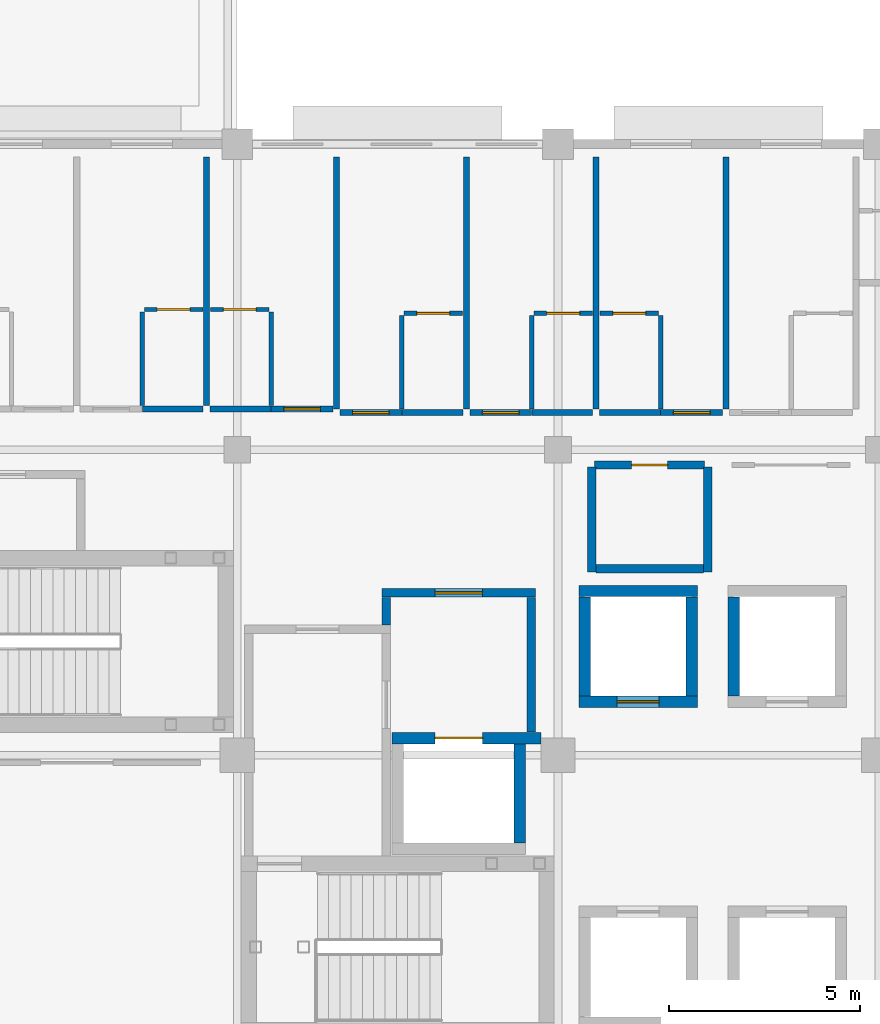
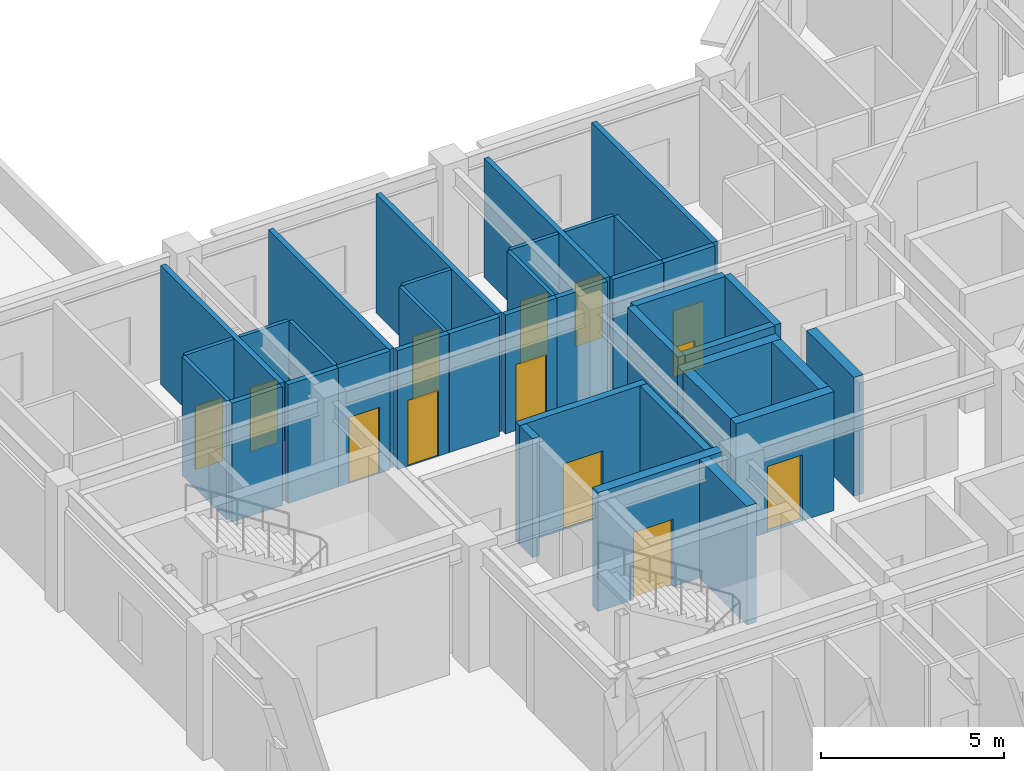
# One storey, part 10 of 22: 38 walls, 13 doors, 13 openings.
"""IFC4 building model written with IfcOpenShell, lengths in metres."""

from ifc_helpers import new_model, si_unit, direction, frame, frame_2d, origin, place, context, subcontext, project, spatial, rectangle, extrude, material, layer, layer_set, type_object, element, fill, save


model = new_model("IFC4")

# Units and contexts
model_context = context("Model", 3, precision=1e-05, world=origin(), true_north=direction((0.0, 1.0)))
body_context = subcontext(model_context, "Body", "Model", "MODEL_VIEW")
ifc_project = project(units=[si_unit("LENGTHUNIT", "METRE"), si_unit("AREAUNIT", "SQUARE_METRE"), si_unit("VOLUMEUNIT", "CUBIC_METRE"), si_unit("PLANEANGLEUNIT", "RADIAN"), si_unit("MASSUNIT", "GRAM", prefix="KILO")], contexts=[model_context])

# Site, building, storey
site_placement = place(None, origin())
site = spatial("IfcSite", under=ifc_project, at=site_placement, CompositionType="ELEMENT")
building_placement = place(site_placement, origin())
building = spatial("IfcBuilding", under=site, at=building_placement, Name="Naruveol Harbour Congress Hotel", CompositionType="ELEMENT")
storey_placement = place(building_placement, frame((0.0, 0.0, 21.0)))
storey = spatial("IfcBuildingStorey", under=building, at=storey_placement, Name="L04", CompositionType="ELEMENT", Elevation=21.0)

# Wall
ifc_material_1 = material(Name="Moisture-Resistant Gypsum Partition", Category="gypsum")
ifc_layer_1 = layer(ifc_material_1, 0.114990234375)
ifc_layer_set_1 = layer_set([ifc_layer_1], Name="Moisture-Resistant Gypsum Partition")
wall_type_1 = type_object("IfcWallType", Name="BATHROOM MOISTURE PARTITION WALL 115", PredefinedType="PARTITIONING", material=ifc_layer_set_1)
wall_1_placement = place(storey_placement, frame((123.510009765625, 25.159912109375, 0.0), z_axis=(0.0, 0.0, 1.0), x_axis=(0.0, 1.0, 0.0)))
element("IfcWall", 1, at=wall_1_placement, inside=storey, type_object=wall_type_1, Name="Bathroom west wall 0597 PW-115", PredefinedType="PARTITIONING", context=body_context, shape_type="SweptSolid", body=[
    extrude(rectangle(XDim=2.4501953125, YDim=0.114990234375, at=frame_2d((1.22509765625, 0.0))), origin(), (0.0, 0.0, 1.0), 3.965087890625),
])

# Wall, opening, door
wall_2_placement = place(storey_placement, frame((123.570068359375, 27.669921875, 0.0), z_axis=(0.0, 0.0, 1.0), x_axis=(1.0, 0.0, 0.0)))
wall_2 = element("IfcWall", 2, at=wall_2_placement, inside=storey, type_object=wall_type_1, Name="Bathroom north wall 0597 PW-115", PredefinedType="PARTITIONING", context=body_context, shape_type="SweptSolid", body=[
    extrude(rectangle(XDim=1.530029296875, YDim=0.114990234375, at=frame_2d((0.76513671875, 0.0))), origin(), (0.0, 0.0, 1.0), 3.965087890625),
])
opening_1_placement = place(wall_2_placement, frame((0.3349609375, 0.0, 0.0)))
opening_1 = element("IfcOpeningElement", 3, at=opening_1_placement, cuts=wall_2, Name="Opening BD-RM0597", PredefinedType="OPENING", context=body_context, shape_type="SweptSolid", body=[
    extrude(rectangle(XDim=0.860107421875, YDim=2.1201171875, at=frame_2d((0.43017578125, 1.06005859375))), frame((0.0, 0.0673828125, 0.0), z_axis=(0.0, -1.0, 0.0), x_axis=(1.0, 0.0, 0.0)), (0.0, 0.0, 1.0), 0.135009765625),
])
ifc_material_2 = material(Name="Timber & Steel Acoustic Leaf", Category="steel")
door_type_1 = type_object("IfcDoorType", Name="GUEST BATHROOM DOOR 860X2120", OperationType="NOTDEFINED", PredefinedType="DOOR", material=ifc_material_2)
door_1_placement = place(opening_1_placement, origin())
door_1 = element("IfcDoor", 4, at=door_1_placement, inside=storey, type_object=door_type_1, Name="Bathroom Door 0597", OperationType="SINGLE_SWING_RIGHT", OverallHeight=2.1201171875, OverallWidth=0.860107421875, PredefinedType="DOOR", context=body_context, shape_type="SweptSolid", body=[
    extrude(rectangle(XDim=0.860107421875, YDim=2.1201171875, at=frame_2d((0.43017578125, 1.06005859375))), frame((0.0, 0.02490234375, 0.0), z_axis=(0.0, -1.0, 0.0), x_axis=(1.0, 0.0, 0.0)), (0.0, 0.0, 1.0), 0.050048828125),
])
fill(opening_1, door_1)

# Wall
wall_3_placement = place(storey_placement, frame((126.889892578125, 25.159912109375, 0.0), z_axis=(0.0, 0.0, 1.0), x_axis=(0.0, 1.0, 0.0)))
element("IfcWall", 5, at=wall_3_placement, inside=storey, type_object=wall_type_1, Name="Bathroom east wall 0598 PW-115", PredefinedType="PARTITIONING", context=body_context, shape_type="SweptSolid", body=[
    extrude(rectangle(XDim=2.4501953125, YDim=0.114990234375, at=frame_2d((1.22509765625, 0.0))), origin(), (0.0, 0.0, 1.0), 3.965087890625),
])

# Wall, opening, door
wall_4_placement = place(storey_placement, frame((125.300048828125, 27.669921875, 0.0), z_axis=(0.0, 0.0, 1.0), x_axis=(1.0, 0.0, 0.0)))
wall_4 = element("IfcWall", 6, at=wall_4_placement, inside=storey, type_object=wall_type_1, Name="Bathroom north wall 0598 PW-115", PredefinedType="PARTITIONING", context=body_context, shape_type="SweptSolid", body=[
    extrude(rectangle(XDim=1.530029296875, YDim=0.114990234375, at=frame_2d((0.76513671875, 0.0))), origin(), (0.0, 0.0, 1.0), 3.965087890625),
])
opening_2_placement = place(wall_4_placement, frame((0.3349609375, 0.0, 0.0)))
opening_2 = element("IfcOpeningElement", 7, at=opening_2_placement, cuts=wall_4, Name="Opening BD-RM0598", PredefinedType="OPENING", context=body_context, shape_type="SweptSolid", body=[
    extrude(rectangle(XDim=0.860107421875, YDim=2.1201171875, at=frame_2d((0.43017578125, 1.06005859375))), frame((0.0, 0.0673828125, 0.0), z_axis=(0.0, -1.0, 0.0), x_axis=(1.0, 0.0, 0.0)), (0.0, 0.0, 1.0), 0.135009765625),
])
door_2_placement = place(opening_2_placement, origin())
door_2 = element("IfcDoor", 8, at=door_2_placement, inside=storey, type_object=door_type_1, Name="Bathroom Door 0598", OperationType="SINGLE_SWING_RIGHT", OverallHeight=2.1201171875, OverallWidth=0.860107421875, PredefinedType="DOOR", context=body_context, shape_type="SweptSolid", body=[
    extrude(rectangle(XDim=0.860107421875, YDim=2.1201171875, at=frame_2d((0.43017578125, 1.06005859375))), frame((0.0, 0.02490234375, 0.0), z_axis=(0.0, -1.0, 0.0), x_axis=(1.0, 0.0, 0.0)), (0.0, 0.0, 1.0), 0.050048828125),
])
fill(opening_2, door_2)

# Wall
wall_5_placement = place(storey_placement, frame((130.31005859375, 25.06005859375, 0.0), z_axis=(0.0, 0.0, 1.0), x_axis=(0.0, 1.0, 0.0)))
element("IfcWall", 9, at=wall_5_placement, inside=storey, type_object=wall_type_1, Name="Bathroom west wall 0599 PW-115", PredefinedType="PARTITIONING", context=body_context, shape_type="SweptSolid", body=[
    extrude(rectangle(XDim=2.449951171875, YDim=0.114990234375, at=frame_2d((1.22509765625, 0.0))), origin(), (0.0, 0.0, 1.0), 3.965087890625),
])

# Wall, opening, door
wall_6_placement = place(storey_placement, frame((130.3701171875, 27.570068359375, 0.0), z_axis=(0.0, 0.0, 1.0), x_axis=(1.0, 0.0, 0.0)))
wall_6 = element("IfcWall", 10, at=wall_6_placement, inside=storey, type_object=wall_type_1, Name="Bathroom north wall 0599 PW-115", PredefinedType="PARTITIONING", context=body_context, shape_type="SweptSolid", body=[
    extrude(rectangle(XDim=1.52978515625, YDim=0.114990234375, at=frame_2d((0.764892578125, 0.0))), origin(), (0.0, 0.0, 1.0), 3.965087890625),
])
opening_3_placement = place(wall_6_placement, frame((0.3349609375, 0.0, 0.0)))
opening_3 = element("IfcOpeningElement", 11, at=opening_3_placement, cuts=wall_6, Name="Opening BD-RM0599", PredefinedType="OPENING", context=body_context, shape_type="SweptSolid", body=[
    extrude(rectangle(XDim=0.860107421875, YDim=2.1201171875, at=frame_2d((0.43017578125, 1.06005859375))), frame((0.0, 0.0673828125, 0.0), z_axis=(0.0, -1.0, 0.0), x_axis=(1.0, 0.0, 0.0)), (0.0, 0.0, 1.0), 0.135009765625),
])
door_3_placement = place(opening_3_placement, origin())
door_3 = element("IfcDoor", 12, at=door_3_placement, inside=storey, type_object=door_type_1, Name="Bathroom Door 0599", OperationType="SINGLE_SWING_RIGHT", OverallHeight=2.1201171875, OverallWidth=0.860107421875, PredefinedType="DOOR", context=body_context, shape_type="SweptSolid", body=[
    extrude(rectangle(XDim=0.860107421875, YDim=2.1201171875, at=frame_2d((0.43017578125, 1.06005859375))), frame((0.0, 0.02490234375, 0.0), z_axis=(0.0, -1.0, 0.0), x_axis=(1.0, 0.0, 0.0)), (0.0, 0.0, 1.0), 0.050048828125),
])
fill(opening_3, door_3)

# Wall
wall_7_placement = place(storey_placement, frame((133.7099609375, 25.06005859375, 0.0), z_axis=(0.0, 0.0, 1.0), x_axis=(0.0, 1.0, 0.0)))
element("IfcWall", 13, at=wall_7_placement, inside=storey, type_object=wall_type_1, Name="Bathroom west wall 0500 PW-115", PredefinedType="PARTITIONING", context=body_context, shape_type="SweptSolid", body=[
    extrude(rectangle(XDim=2.449951171875, YDim=0.114990234375, at=frame_2d((1.22509765625, 0.0))), origin(), (0.0, 0.0, 1.0), 3.965087890625),
])

# Wall, opening, door
wall_8_placement = place(storey_placement, frame((133.77001953125, 27.570068359375, 0.0), z_axis=(0.0, 0.0, 1.0), x_axis=(1.0, 0.0, 0.0)))
wall_8 = element("IfcWall", 14, at=wall_8_placement, inside=storey, type_object=wall_type_1, Name="Bathroom north wall 0500 PW-115", PredefinedType="PARTITIONING", context=body_context, shape_type="SweptSolid", body=[
    extrude(rectangle(XDim=1.530029296875, YDim=0.114990234375, at=frame_2d((0.76513671875, 0.0))), origin(), (0.0, 0.0, 1.0), 3.965087890625),
])
opening_4_placement = place(wall_8_placement, frame((0.3349609375, 0.0, 0.0)))
opening_4 = element("IfcOpeningElement", 15, at=opening_4_placement, cuts=wall_8, Name="Opening BD-RM0500", PredefinedType="OPENING", context=body_context, shape_type="SweptSolid", body=[
    extrude(rectangle(XDim=0.860107421875, YDim=2.1201171875, at=frame_2d((0.43017578125, 1.06005859375))), frame((0.0, 0.0673828125, 0.0), z_axis=(0.0, -1.0, 0.0), x_axis=(1.0, 0.0, 0.0)), (0.0, 0.0, 1.0), 0.135009765625),
])
door_4_placement = place(opening_4_placement, origin())
door_4 = element("IfcDoor", 16, at=door_4_placement, inside=storey, type_object=door_type_1, Name="Bathroom Door 0500", OperationType="SINGLE_SWING_RIGHT", OverallHeight=2.1201171875, OverallWidth=0.860107421875, PredefinedType="DOOR", context=body_context, shape_type="SweptSolid", body=[
    extrude(rectangle(XDim=0.860107421875, YDim=2.1201171875, at=frame_2d((0.43017578125, 1.06005859375))), frame((0.0, 0.02490234375, 0.0), z_axis=(0.0, -1.0, 0.0), x_axis=(1.0, 0.0, 0.0)), (0.0, 0.0, 1.0), 0.050048828125),
])
fill(opening_4, door_4)

# Wall
wall_9_placement = place(storey_placement, frame((137.090087890625, 25.06005859375, 0.0), z_axis=(0.0, 0.0, 1.0), x_axis=(0.0, 1.0, 0.0)))
element("IfcWall", 17, at=wall_9_placement, inside=storey, type_object=wall_type_1, Name="Bathroom east wall 0501 PW-115", PredefinedType="PARTITIONING", context=body_context, shape_type="SweptSolid", body=[
    extrude(rectangle(XDim=2.449951171875, YDim=0.114990234375, at=frame_2d((1.22509765625, 0.0))), origin(), (0.0, 0.0, 1.0), 3.965087890625),
])

# Wall, opening, door
wall_10_placement = place(storey_placement, frame((135.5, 27.570068359375, 0.0), z_axis=(0.0, 0.0, 1.0), x_axis=(1.0, 0.0, 0.0)))
wall_10 = element("IfcWall", 18, at=wall_10_placement, inside=storey, type_object=wall_type_1, Name="Bathroom north wall 0501 PW-115", PredefinedType="PARTITIONING", context=body_context, shape_type="SweptSolid", body=[
    extrude(rectangle(XDim=1.530029296875, YDim=0.114990234375, at=frame_2d((0.76513671875, 0.0))), origin(), (0.0, 0.0, 1.0), 3.965087890625),
])
opening_5_placement = place(wall_10_placement, frame((0.3349609375, 0.0, 0.0)))
opening_5 = element("IfcOpeningElement", 19, at=opening_5_placement, cuts=wall_10, Name="Opening BD-RM0501", PredefinedType="OPENING", context=body_context, shape_type="SweptSolid", body=[
    extrude(rectangle(XDim=0.860107421875, YDim=2.1201171875, at=frame_2d((0.43017578125, 1.06005859375))), frame((0.0, 0.0673828125, 0.0), z_axis=(0.0, -1.0, 0.0), x_axis=(1.0, 0.0, 0.0)), (0.0, 0.0, 1.0), 0.135009765625),
])
door_5_placement = place(opening_5_placement, origin())
door_5 = element("IfcDoor", 20, at=door_5_placement, inside=storey, type_object=door_type_1, Name="Bathroom Door 0501", OperationType="SINGLE_SWING_RIGHT", OverallHeight=2.1201171875, OverallWidth=0.860107421875, PredefinedType="DOOR", context=body_context, shape_type="SweptSolid", body=[
    extrude(rectangle(XDim=0.860107421875, YDim=2.1201171875, at=frame_2d((0.43017578125, 1.06005859375))), frame((0.0, 0.02490234375, 0.0), z_axis=(0.0, -1.0, 0.0), x_axis=(1.0, 0.0, 0.0)), (0.0, 0.0, 1.0), 0.050048828125),
])
fill(opening_5, door_5)

# Walls
ifc_material_3 = material(Name="Concrete C40/50", Category="concrete")
ifc_layer_2 = layer(ifc_material_3, 0.219970703125)
ifc_layer_set_2 = layer_set([ifc_layer_2], Name="Concrete C40/50")
wall_type_2 = type_object("IfcWallType", Name="FIRE COMPARTMENT AND LOBBY WALL 220 EI120", PredefinedType="PARTITIONING", material=ifc_layer_set_2)
wall_11_placement = place(storey_placement, frame((129.89990234375, 19.4150390625, 0.0), z_axis=(0.0, 0.0, 1.0), x_axis=(0.0, 1.0, 0.0)))
element("IfcWall", 21, at=wall_11_placement, inside=storey, type_object=wall_type_2, Name="Firefighting lift lobby ST1 upper west wall FW-220", PredefinedType="PARTITIONING", context=body_context, shape_type="SweptSolid", body=[
    extrude(rectangle(XDim=0.719970703125, YDim=0.219970703125, at=frame_2d((0.35986328125, 0.0))), origin(), (0.0, 0.0, 1.0), 3.965087890625),
])
wall_12_placement = place(storey_placement, frame((133.699951171875, 16.60498046875, 0.0), z_axis=(0.0, 0.0, 1.0), x_axis=(0.0, 1.0, 0.0)))
element("IfcWall", 22, at=wall_12_placement, inside=storey, type_object=wall_type_2, Name="Firefighting lift lobby ST1 east wall FW-220", PredefinedType="PARTITIONING", context=body_context, shape_type="SweptSolid", body=[
    extrude(rectangle(XDim=3.530029296875, YDim=0.219970703125, at=frame_2d((1.76513671875, 0.0))), origin(), (0.0, 0.0, 1.0), 3.965087890625),
])

# Wall, opening, door
wall_13_placement = place(storey_placement, frame((129.7900390625, 20.25, 0.0), z_axis=(0.0, 0.0, 1.0), x_axis=(1.0, 0.0, 0.0)))
wall_13 = element("IfcWall", 23, at=wall_13_placement, inside=storey, type_object=wall_type_2, Name="Firefighting lift lobby ST1 north wall FW-220", PredefinedType="PARTITIONING", context=body_context, shape_type="SweptSolid", body=[
    extrude(rectangle(XDim=4.02001953125, YDim=0.219970703125, at=frame_2d((2.010009765625, 0.0))), origin(), (0.0, 0.0, 1.0), 3.965087890625),
])
opening_6_placement = place(wall_13_placement, frame((1.389892578125, 0.0, 0.0)))
opening_6 = element("IfcOpeningElement", 24, at=opening_6_placement, cuts=wall_13, Name="Opening FD-FFC-ST1-L04", PredefinedType="OPENING", context=body_context, shape_type="SweptSolid", body=[
    extrude(rectangle(XDim=1.239990234375, YDim=2.199951171875, at=frame_2d((0.6201171875, 1.10009765625))), frame((0.0, 0.119873046875, 0.0), z_axis=(0.0, -1.0, 0.0), x_axis=(1.0, 0.0, 0.0)), (0.0, 0.0, 1.0), 0.239990234375),
])
ifc_material_4 = material(Name="Timber & Steel Acoustic Leaf", Category="steel")
door_type_2 = type_object("IfcDoorType", Name="FIREFIGHTING LOBBY FIRE DOOR 1240X2200", OperationType="NOTDEFINED", PredefinedType="DOOR", material=ifc_material_4)
door_6_placement = place(opening_6_placement, origin())
door_6 = element("IfcDoor", 25, at=door_6_placement, inside=storey, type_object=door_type_2, Name="Firefighting Lobby Corridor Door ST1 L04", OperationType="SINGLE_SWING_LEFT", OverallHeight=2.199951171875, OverallWidth=1.239990234375, PredefinedType="DOOR", context=body_context, shape_type="SweptSolid", body=[
    extrude(rectangle(XDim=1.239990234375, YDim=2.199951171875, at=frame_2d((0.6201171875, 1.10009765625))), frame((0.0, 0.02490234375, 0.0), z_axis=(0.0, -1.0, 0.0), x_axis=(1.0, 0.0, 0.0)), (0.0, 0.0, 1.0), 0.050048828125),
])
fill(opening_6, door_6)

wall_14_placement = place(storey_placement, frame((135.360107421875, 23.60009765625, 0.0), z_axis=(0.0, 0.0, 1.0), x_axis=(1.0, 0.0, 0.0)))
wall_14 = element("IfcWall", 26, at=wall_14_placement, inside=storey, type_object=wall_type_2, Name="Housekeeping Pantry north entry wall FW-220", PredefinedType="PARTITIONING", context=body_context, shape_type="SweptSolid", body=[
    extrude(rectangle(XDim=2.8798828125, YDim=0.219970703125, at=frame_2d((1.43994140625, 0.0))), origin(), (0.0, 0.0, 1.0), 3.965087890625),
])
opening_7_placement = place(wall_14_placement, frame((0.969970703125, 0.0, 0.0)))
opening_7 = element("IfcOpeningElement", 27, at=opening_7_placement, cuts=wall_14, Name="Opening FD-ST-98", PredefinedType="OPENING", context=body_context, shape_type="SweptSolid", body=[
    extrude(rectangle(XDim=0.93994140625, YDim=2.14990234375, at=frame_2d((0.469970703125, 1.074951171875))), frame((0.0, 0.119873046875, 0.0), z_axis=(0.0, -1.0, 0.0), x_axis=(1.0, 0.0, 0.0)), (0.0, 0.0, 1.0), 0.239990234375),
])
ifc_material_5 = material(Name="Timber & Steel Acoustic Leaf", Category="steel")
door_type_3 = type_object("IfcDoorType", Name="HOUSEKEEPING AND STORE FIRE DOOR 940X2150", OperationType="NOTDEFINED", PredefinedType="DOOR", material=ifc_material_5)
door_7_placement = place(opening_7_placement, origin())
door_7 = element("IfcDoor", 28, at=door_7_placement, inside=storey, type_object=door_type_3, Name="Housekeeping Pantry Fire Door", OperationType="SINGLE_SWING_RIGHT", OverallHeight=2.14990234375, OverallWidth=0.93994140625, PredefinedType="DOOR", context=body_context, shape_type="SweptSolid", body=[
    extrude(rectangle(XDim=0.93994140625, YDim=2.14990234375, at=frame_2d((0.469970703125, 1.074951171875))), frame((0.0, 0.02490234375, 0.0), z_axis=(0.0, -1.0, 0.0), x_axis=(1.0, 0.0, 0.0)), (0.0, 0.0, 1.0), 0.050048828125),
])
fill(opening_7, door_7)

# Walls
for number, where, z_axis, x_axis, name in (
    (29, (135.280029296875, 20.800048828125, 0.0), (0.0, 0.0, 1.0), (0.0, 1.0, 0.0), "Housekeeping Pantry west enclosure partition FW-220"),
    (30, (138.320068359375, 20.800048828125, 0.0), (0.0, 0.0, 1.0), (0.0, 1.0, 0.0), "Housekeeping Pantry east enclosure partition FW-220"),
):
    element("IfcWall", number, at=place(storey_placement, frame(where, z_axis=z_axis, x_axis=x_axis)), inside=storey, type_object=wall_type_2, Name=name, PredefinedType="PARTITIONING", context=body_context, shape_type="SweptSolid", body=[
        extrude(rectangle(XDim=2.748046875, YDim=0.219970703125, at=frame_2d((1.3740234375, 0.0))), origin(), (0.0, 0.0, 1.0), 3.965087890625),
    ])
wall_15_placement = place(storey_placement, frame((135.389892578125, 20.8798828125, 0.0), z_axis=(0.0, 0.0, 1.0), x_axis=(1.0, 0.0, 0.0)))
element("IfcWall", 31, at=wall_15_placement, inside=storey, type_object=wall_type_2, Name="Housekeeping Pantry south enclosure partition FW-220", PredefinedType="PARTITIONING", context=body_context, shape_type="SweptSolid", body=[
    extrude(rectangle(XDim=2.820068359375, YDim=0.219970703125, at=frame_2d((1.41015625, 0.0))), origin(), (0.0, 0.0, 1.0), 3.965087890625),
])
ifc_material_6 = material(Name="Autoclaved Aerated Concrete Block", Category="concrete")
ifc_layer_3 = layer(ifc_material_6, 0.159912109375)
ifc_layer_set_3 = layer_set([ifc_layer_3], Name="Autoclaved Aerated Concrete Block")
wall_type_3 = type_object("IfcWallType", Name="HOTEL PARTY AND CORRIDOR WALL 160 EI60", PredefinedType="PARTITIONING", material=ifc_layer_set_3)
wall_16_placement = place(storey_placement, frame((123.52001953125, 25.070068359375, 0.0), z_axis=(0.0, 0.0, 1.0), x_axis=(1.0, 0.0, 0.0)))
element("IfcWall", 32, at=wall_16_placement, inside=storey, type_object=wall_type_3, Name="Corridor wall 0597B PW-160", PredefinedType="PARTITIONING", context=body_context, shape_type="SweptSolid", body=[
    extrude(rectangle(XDim=1.590087890625, YDim=0.159912109375, at=frame_2d((0.794921875, 0.0))), origin(), (0.0, 0.0, 1.0), 3.965087890625),
])
wall_17_placement = place(storey_placement, frame((125.2900390625, 25.070068359375, 0.0), z_axis=(0.0, 0.0, 1.0), x_axis=(1.0, 0.0, 0.0)))
element("IfcWall", 33, at=wall_17_placement, inside=storey, type_object=wall_type_3, Name="Corridor wall 0598B PW-160", PredefinedType="PARTITIONING", context=body_context, shape_type="SweptSolid", body=[
    extrude(rectangle(XDim=1.58984375, YDim=0.159912109375, at=frame_2d((0.794921875, 0.0))), origin(), (0.0, 0.0, 1.0), 3.965087890625),
])

# Wall, opening, door
wall_18_placement = place(storey_placement, frame((126.889892578125, 25.070068359375, 0.0), z_axis=(0.0, 0.0, 1.0), x_axis=(1.0, 0.0, 0.0)))
wall_18 = element("IfcWall", 34, at=wall_18_placement, inside=storey, type_object=wall_type_3, Name="Corridor entry wall 0598 PW-160", PredefinedType="PARTITIONING", context=body_context, shape_type="SweptSolid", body=[
    extrude(rectangle(XDim=1.6201171875, YDim=0.159912109375, at=frame_2d((0.81005859375, 0.0))), origin(), (0.0, 0.0, 1.0), 3.965087890625),
])
opening_8_placement = place(wall_18_placement, frame((0.330078125, 0.0, 0.0)))
opening_8 = element("IfcOpeningElement", 35, at=opening_8_placement, cuts=wall_18, Name="Opening FD-RM0598", PredefinedType="OPENING", context=body_context, shape_type="SweptSolid", body=[
    extrude(rectangle(XDim=0.9599609375, YDim=2.199951171875, at=frame_2d((0.47998046875, 1.10009765625))), frame((0.0, 0.08984375, 0.0), z_axis=(0.0, -1.0, 0.0), x_axis=(1.0, 0.0, 0.0)), (0.0, 0.0, 1.0), 0.179931640625),
])
ifc_material_7 = material(Name="Timber & Steel Acoustic Leaf", Category="steel")
door_type_4 = type_object("IfcDoorType", Name="GUEST ROOM ENTRANCE FIRE DOOR 960X2200", OperationType="NOTDEFINED", PredefinedType="DOOR", material=ifc_material_7)
door_8_placement = place(opening_8_placement, origin())
door_8 = element("IfcDoor", 36, at=door_8_placement, inside=storey, type_object=door_type_4, Name="Hotel Room Door 0598", OperationType="SINGLE_SWING_LEFT", OverallHeight=2.199951171875, OverallWidth=0.9599609375, PredefinedType="DOOR", context=body_context, shape_type="SweptSolid", body=[
    extrude(rectangle(XDim=0.9599609375, YDim=2.199951171875, at=frame_2d((0.47998046875, 1.10009765625))), frame((0.0, 0.02490234375, 0.0), z_axis=(0.0, -1.0, 0.0), x_axis=(1.0, 0.0, 0.0)), (0.0, 0.0, 1.0), 0.050048828125),
])
fill(opening_8, door_8)

# Wall
wall_19_placement = place(storey_placement, frame((125.199951171875, 25.159912109375, 0.0), z_axis=(0.0, 0.0, 1.0), x_axis=(0.0, 1.0, 0.0)))
element("IfcWall", 37, at=wall_19_placement, inside=storey, type_object=wall_type_3, Name="Hotel party wall 0598 PW-160", PredefinedType="PARTITIONING", context=body_context, shape_type="SweptSolid", body=[
    extrude(rectangle(XDim=6.5, YDim=0.159912109375, at=frame_2d((3.25, 0.0))), origin(), (0.0, 0.0, 1.0), 3.965087890625),
])

# Wall, opening, door
wall_20_placement = place(storey_placement, frame((128.68994140625, 24.969970703125, 0.0), z_axis=(0.0, 0.0, 1.0), x_axis=(1.0, 0.0, 0.0)))
wall_20 = element("IfcWall", 38, at=wall_20_placement, inside=storey, type_object=wall_type_3, Name="Corridor entry wall 0599 PW-160", PredefinedType="PARTITIONING", context=body_context, shape_type="SweptSolid", body=[
    extrude(rectangle(XDim=1.6201171875, YDim=0.159912109375, at=frame_2d((0.81005859375, 0.0))), origin(), (0.0, 0.0, 1.0), 3.965087890625),
])
opening_9_placement = place(wall_20_placement, frame((0.330078125, 0.0, 0.0)))
opening_9 = element("IfcOpeningElement", 39, at=opening_9_placement, cuts=wall_20, Name="Opening FD-RM0599", PredefinedType="OPENING", context=body_context, shape_type="SweptSolid", body=[
    extrude(rectangle(XDim=0.9599609375, YDim=2.199951171875, at=frame_2d((0.47998046875, 1.10009765625))), frame((0.0, 0.08984375, 0.0), z_axis=(0.0, -1.0, 0.0), x_axis=(1.0, 0.0, 0.0)), (0.0, 0.0, 1.0), 0.179931640625),
])
door_9_placement = place(opening_9_placement, origin())
door_9 = element("IfcDoor", 40, at=door_9_placement, inside=storey, type_object=door_type_4, Name="Hotel Room Door 0599", OperationType="SINGLE_SWING_LEFT", OverallHeight=2.199951171875, OverallWidth=0.9599609375, PredefinedType="DOOR", context=body_context, shape_type="SweptSolid", body=[
    extrude(rectangle(XDim=0.9599609375, YDim=2.199951171875, at=frame_2d((0.47998046875, 1.10009765625))), frame((0.0, 0.02490234375, 0.0), z_axis=(0.0, -1.0, 0.0), x_axis=(1.0, 0.0, 0.0)), (0.0, 0.0, 1.0), 0.050048828125),
])
fill(opening_9, door_9)

# Walls
wall_21_placement = place(storey_placement, frame((130.320068359375, 24.969970703125, 0.0), z_axis=(0.0, 0.0, 1.0), x_axis=(1.0, 0.0, 0.0)))
element("IfcWall", 41, at=wall_21_placement, inside=storey, type_object=wall_type_3, Name="Corridor wall 0599B PW-160", PredefinedType="PARTITIONING", context=body_context, shape_type="SweptSolid", body=[
    extrude(rectangle(XDim=1.58984375, YDim=0.159912109375, at=frame_2d((0.794921875, 0.0))), origin(), (0.0, 0.0, 1.0), 3.965087890625),
])
wall_22_placement = place(storey_placement, frame((128.60009765625, 25.06005859375, 0.0), z_axis=(0.0, 0.0, 1.0), x_axis=(0.0, 1.0, 0.0)))
element("IfcWall", 42, at=wall_22_placement, inside=storey, type_object=wall_type_3, Name="Hotel party wall 0599 PW-160", PredefinedType="PARTITIONING", context=body_context, shape_type="SweptSolid", body=[
    extrude(rectangle(XDim=6.599853515625, YDim=0.159912109375, at=frame_2d((3.2998046875, 0.0))), origin(), (0.0, 0.0, 1.0), 3.965087890625),
])

# Wall, opening, door
wall_23_placement = place(storey_placement, frame((132.090087890625, 24.969970703125, 0.0), z_axis=(0.0, 0.0, 1.0), x_axis=(1.0, 0.0, 0.0)))
wall_23 = element("IfcWall", 43, at=wall_23_placement, inside=storey, type_object=wall_type_3, Name="Corridor entry wall 0500 PW-160", PredefinedType="PARTITIONING", context=body_context, shape_type="SweptSolid", body=[
    extrude(rectangle(XDim=1.619873046875, YDim=0.159912109375, at=frame_2d((0.81005859375, 0.0))), origin(), (0.0, 0.0, 1.0), 3.965087890625),
])
opening_10_placement = place(wall_23_placement, frame((0.330078125, 0.0, 0.0)))
opening_10 = element("IfcOpeningElement", 44, at=opening_10_placement, cuts=wall_23, Name="Opening FD-RM0500", PredefinedType="OPENING", context=body_context, shape_type="SweptSolid", body=[
    extrude(rectangle(XDim=0.9599609375, YDim=2.199951171875, at=frame_2d((0.47998046875, 1.10009765625))), frame((0.0, 0.08984375, 0.0), z_axis=(0.0, -1.0, 0.0), x_axis=(1.0, 0.0, 0.0)), (0.0, 0.0, 1.0), 0.179931640625),
])
door_10_placement = place(opening_10_placement, origin())
door_10 = element("IfcDoor", 45, at=door_10_placement, inside=storey, type_object=door_type_4, Name="Hotel Room Door 0500", OperationType="SINGLE_SWING_LEFT", OverallHeight=2.199951171875, OverallWidth=0.9599609375, PredefinedType="DOOR", context=body_context, shape_type="SweptSolid", body=[
    extrude(rectangle(XDim=0.9599609375, YDim=2.199951171875, at=frame_2d((0.47998046875, 1.10009765625))), frame((0.0, 0.02490234375, 0.0), z_axis=(0.0, -1.0, 0.0), x_axis=(1.0, 0.0, 0.0)), (0.0, 0.0, 1.0), 0.050048828125),
])
fill(opening_10, door_10)

# Walls
wall_24_placement = place(storey_placement, frame((133.719970703125, 24.969970703125, 0.0), z_axis=(0.0, 0.0, 1.0), x_axis=(1.0, 0.0, 0.0)))
element("IfcWall", 46, at=wall_24_placement, inside=storey, type_object=wall_type_3, Name="Corridor wall 0500B PW-160", PredefinedType="PARTITIONING", context=body_context, shape_type="SweptSolid", body=[
    extrude(rectangle(XDim=1.590087890625, YDim=0.159912109375, at=frame_2d((0.794921875, 0.0))), origin(), (0.0, 0.0, 1.0), 3.965087890625),
])
wall_25_placement = place(storey_placement, frame((132.0, 25.06005859375, 0.0), z_axis=(0.0, 0.0, 1.0), x_axis=(0.0, 1.0, 0.0)))
element("IfcWall", 47, at=wall_25_placement, inside=storey, type_object=wall_type_3, Name="Hotel party wall 0500 PW-160", PredefinedType="PARTITIONING", context=body_context, shape_type="SweptSolid", body=[
    extrude(rectangle(XDim=6.599853515625, YDim=0.159912109375, at=frame_2d((3.2998046875, 0.0))), origin(), (0.0, 0.0, 1.0), 3.965087890625),
])
wall_26_placement = place(storey_placement, frame((135.489990234375, 24.969970703125, 0.0), z_axis=(0.0, 0.0, 1.0), x_axis=(1.0, 0.0, 0.0)))
element("IfcWall", 48, at=wall_26_placement, inside=storey, type_object=wall_type_3, Name="Corridor wall 0501B PW-160", PredefinedType="PARTITIONING", context=body_context, shape_type="SweptSolid", body=[
    extrude(rectangle(XDim=1.590087890625, YDim=0.159912109375, at=frame_2d((0.794921875, 0.0))), origin(), (0.0, 0.0, 1.0), 3.965087890625),
])

# Wall, opening, door
wall_27_placement = place(storey_placement, frame((137.090087890625, 24.969970703125, 0.0), z_axis=(0.0, 0.0, 1.0), x_axis=(1.0, 0.0, 0.0)))
wall_27 = element("IfcWall", 49, at=wall_27_placement, inside=storey, type_object=wall_type_3, Name="Corridor entry wall 0501 PW-160", PredefinedType="PARTITIONING", context=body_context, shape_type="SweptSolid", body=[
    extrude(rectangle(XDim=1.619873046875, YDim=0.159912109375, at=frame_2d((0.81005859375, 0.0))), origin(), (0.0, 0.0, 1.0), 3.965087890625),
])
opening_11_placement = place(wall_27_placement, frame((0.330078125, 0.0, 0.0)))
opening_11 = element("IfcOpeningElement", 50, at=opening_11_placement, cuts=wall_27, Name="Opening FD-RM0501", PredefinedType="OPENING", context=body_context, shape_type="SweptSolid", body=[
    extrude(rectangle(XDim=0.9599609375, YDim=2.199951171875, at=frame_2d((0.47998046875, 1.10009765625))), frame((0.0, 0.08984375, 0.0), z_axis=(0.0, -1.0, 0.0), x_axis=(1.0, 0.0, 0.0)), (0.0, 0.0, 1.0), 0.179931640625),
])
door_11_placement = place(opening_11_placement, origin())
door_11 = element("IfcDoor", 51, at=door_11_placement, inside=storey, type_object=door_type_4, Name="Hotel Room Door 0501", OperationType="SINGLE_SWING_LEFT", OverallHeight=2.199951171875, OverallWidth=0.9599609375, PredefinedType="DOOR", context=body_context, shape_type="SweptSolid", body=[
    extrude(rectangle(XDim=0.9599609375, YDim=2.199951171875, at=frame_2d((0.47998046875, 1.10009765625))), frame((0.0, 0.02490234375, 0.0), z_axis=(0.0, -1.0, 0.0), x_axis=(1.0, 0.0, 0.0)), (0.0, 0.0, 1.0), 0.050048828125),
])
fill(opening_11, door_11)

# Walls
for number, where, z_axis, x_axis, name in (
    (52, (135.39990234375, 25.06005859375, 0.0), (0.0, 0.0, 1.0), (0.0, 1.0, 0.0), "Hotel party wall 0501 PW-160"),
    (53, (138.800048828125, 25.06005859375, 0.0), (0.0, 0.0, 1.0), (0.0, 1.0, 0.0), "Hotel party wall 0502 PW-160"),
):
    element("IfcWall", number, at=place(storey_placement, frame(where, z_axis=z_axis, x_axis=x_axis)), inside=storey, type_object=wall_type_3, Name=name, PredefinedType="PARTITIONING", context=body_context, shape_type="SweptSolid", body=[
        extrude(rectangle(XDim=6.599853515625, YDim=0.159912109375, at=frame_2d((3.2998046875, 0.0))), origin(), (0.0, 0.0, 1.0), 3.965087890625),
    ])

# Wall, opening, door
ifc_material_8 = material(Name="Concrete C50/60", Category="concrete")
ifc_layer_4 = layer(ifc_material_8, 0.300048828125)
ifc_layer_set_4 = layer_set([ifc_layer_4], Name="Concrete C50/60")
wall_type_4 = type_object("IfcWallType", Name="RC STAIR AND HOISTWAY SHEAR WALL 300 EI120", PredefinedType="SHEAR", material=ifc_layer_set_4)
wall_28_placement = place(storey_placement, frame((134.949951171875, 17.39990234375, 0.0), z_axis=(0.0, 0.0, 1.0), x_axis=(1.0, 0.0, 0.0)))
wall_28 = element("IfcWall", 54, at=wall_28_placement, inside=storey, type_object=wall_type_4, Name="Hoistway south shear wall PL1 SW-300", PredefinedType="SHEAR", context=body_context, shape_type="SweptSolid", body=[
    extrude(rectangle(XDim=3.10009765625, YDim=0.300048828125, at=frame_2d((1.550048828125, 0.0))), origin(), (0.0, 0.0, 1.0), 3.965087890625),
])
opening_12_placement = place(wall_28_placement, frame((1.0, 0.0, 0.0)))
opening_12 = element("IfcOpeningElement", 55, at=opening_12_placement, cuts=wall_28, Name="Opening LD-PL1-L04", PredefinedType="OPENING", context=body_context, shape_type="SweptSolid", body=[
    extrude(rectangle(XDim=1.10009765625, YDim=2.199951171875, at=frame_2d((0.550048828125, 1.10009765625))), frame((0.0, 0.159912109375, 0.0), z_axis=(0.0, -1.0, 0.0), x_axis=(1.0, 0.0, 0.0)), (0.0, 0.0, 1.0), 0.320068359375),
])
ifc_material_9 = material(Name="Stainless Steel Lift Door", Category="steel")
door_type_5 = type_object("IfcDoorType", Name="PASSENGER LIFT LANDING DOOR 1100X2200", OperationType="DOUBLE_DOOR_SLIDING", PredefinedType="DOOR", material=ifc_material_9)
door_12_placement = place(opening_12_placement, origin())
door_12 = element("IfcDoor", 56, at=door_12_placement, inside=storey, type_object=door_type_5, Name="Elevator Landing Door PL1 L04", OperationType="DOUBLE_DOOR_SLIDING", OverallHeight=2.199951171875, OverallWidth=1.10009765625, PredefinedType="DOOR", context=body_context, shape_type="SweptSolid", body=[
    extrude(rectangle(XDim=1.10009765625, YDim=2.199951171875, at=frame_2d((0.550048828125, 1.10009765625))), frame((0.0, 0.02490234375, 0.0), z_axis=(0.0, -1.0, 0.0), x_axis=(1.0, 0.0, 0.0)), (0.0, 0.0, 1.0), 0.050048828125),
])
fill(opening_12, door_12)

# Walls
wall_29_placement = place(storey_placement, frame((137.89990234375, 17.554931640625, 0.0), z_axis=(0.0, 0.0, 1.0), x_axis=(0.0, 1.0, 0.0)))
element("IfcWall", 57, at=wall_29_placement, inside=storey, type_object=wall_type_4, Name="Hoistway east shear wall PL1 SW-300", PredefinedType="SHEAR", context=body_context, shape_type="SweptSolid", body=[
    extrude(rectangle(XDim=2.590087890625, YDim=0.300048828125, at=frame_2d((1.294921875, 0.0))), origin(), (0.0, 0.0, 1.0), 3.965087890625),
])
wall_30_placement = place(storey_placement, frame((138.050048828125, 20.300048828125, 0.0), z_axis=(0.0, 0.0, 1.0), x_axis=(-1.0, 0.0, 0.0)))
element("IfcWall", 58, at=wall_30_placement, inside=storey, type_object=wall_type_4, Name="Hoistway north shear wall PL1 SW-300", PredefinedType="SHEAR", context=body_context, shape_type="SweptSolid", body=[
    extrude(rectangle(XDim=3.10009765625, YDim=0.300048828125, at=frame_2d((1.550048828125, 0.0))), origin(), (0.0, 0.0, 1.0), 3.965087890625),
])
for number, where, z_axis, x_axis, name in (
    (59, (135.10009765625, 20.14501953125, 0.0), (0.0, 0.0, 1.0), (0.0, -1.0, 0.0), "Hoistway west shear wall PL1 SW-300"),
    (60, (139.0, 20.14501953125, 0.0), (0.0, 0.0, 1.0), (0.0, -1.0, 0.0), "Hoistway west shear wall PL2 SW-300"),
):
    element("IfcWall", number, at=place(storey_placement, frame(where, z_axis=z_axis, x_axis=x_axis)), inside=storey, type_object=wall_type_4, Name=name, PredefinedType="SHEAR", context=body_context, shape_type="SweptSolid", body=[
        extrude(rectangle(XDim=2.590087890625, YDim=0.300048828125, at=frame_2d((1.294921875, 0.0))), origin(), (0.0, 0.0, 1.0), 3.965087890625),
    ])
wall_31_placement = place(storey_placement, frame((133.39990234375, 13.705078125, 0.0), z_axis=(0.0, 0.0, 1.0), x_axis=(0.0, 1.0, 0.0)))
element("IfcWall", 61, at=wall_31_placement, inside=storey, type_object=wall_type_4, Name="Hoistway east shear wall FL1 SW-300", PredefinedType="SHEAR", context=body_context, shape_type="SweptSolid", body=[
    extrude(rectangle(XDim=2.58984375, YDim=0.300048828125, at=frame_2d((1.294921875, 0.0))), origin(), (0.0, 0.0, 1.0), 3.965087890625),
])

# Wall, opening, door
wall_32_placement = place(storey_placement, frame((133.9599609375, 16.449951171875, 0.0), z_axis=(0.0, 0.0, 1.0), x_axis=(-1.0, 0.0, 0.0)))
wall_32 = element("IfcWall", 62, at=wall_32_placement, inside=storey, type_object=wall_type_4, Name="Hoistway north shear wall FL1 SW-300", PredefinedType="SHEAR", context=body_context, shape_type="SweptSolid", body=[
    extrude(rectangle(XDim=3.909912109375, YDim=0.300048828125, at=frame_2d((1.955078125, 0.0))), origin(), (0.0, 0.0, 1.0), 3.965087890625),
])
opening_13_placement = place(wall_32_placement, frame((1.534912109375, 0.0, 0.0)))
opening_13 = element("IfcOpeningElement", 63, at=opening_13_placement, cuts=wall_32, Name="Opening LD-FL1-L04", PredefinedType="OPENING", context=body_context, shape_type="SweptSolid", body=[
    extrude(rectangle(XDim=1.25, YDim=2.25, at=frame_2d((0.625, 1.125))), frame((0.0, 0.159912109375, 0.0), z_axis=(0.0, -1.0, 0.0), x_axis=(1.0, 0.0, 0.0)), (0.0, 0.0, 1.0), 0.320068359375),
])
ifc_material_10 = material(Name="Stainless Steel Lift Door", Category="steel")
door_type_6 = type_object("IfcDoorType", Name="FIREFIGHTING LIFT LANDING DOOR 1250X2250", OperationType="DOUBLE_DOOR_SLIDING", PredefinedType="DOOR", material=ifc_material_10)
door_13_placement = place(opening_13_placement, origin())
door_13 = element("IfcDoor", 64, at=door_13_placement, inside=storey, type_object=door_type_6, Name="Elevator Landing Door FL1 L04", OperationType="DOUBLE_DOOR_SLIDING", OverallHeight=2.25, OverallWidth=1.25, PredefinedType="DOOR", context=body_context, shape_type="SweptSolid", body=[
    extrude(rectangle(XDim=1.25, YDim=2.25, at=frame_2d((0.625, 1.125))), frame((0.0, 0.02490234375, 0.0), z_axis=(0.0, -1.0, 0.0), x_axis=(1.0, 0.0, 0.0)), (0.0, 0.0, 1.0), 0.050048828125),
])
fill(opening_13, door_13)

save(model, "model.ifc")
